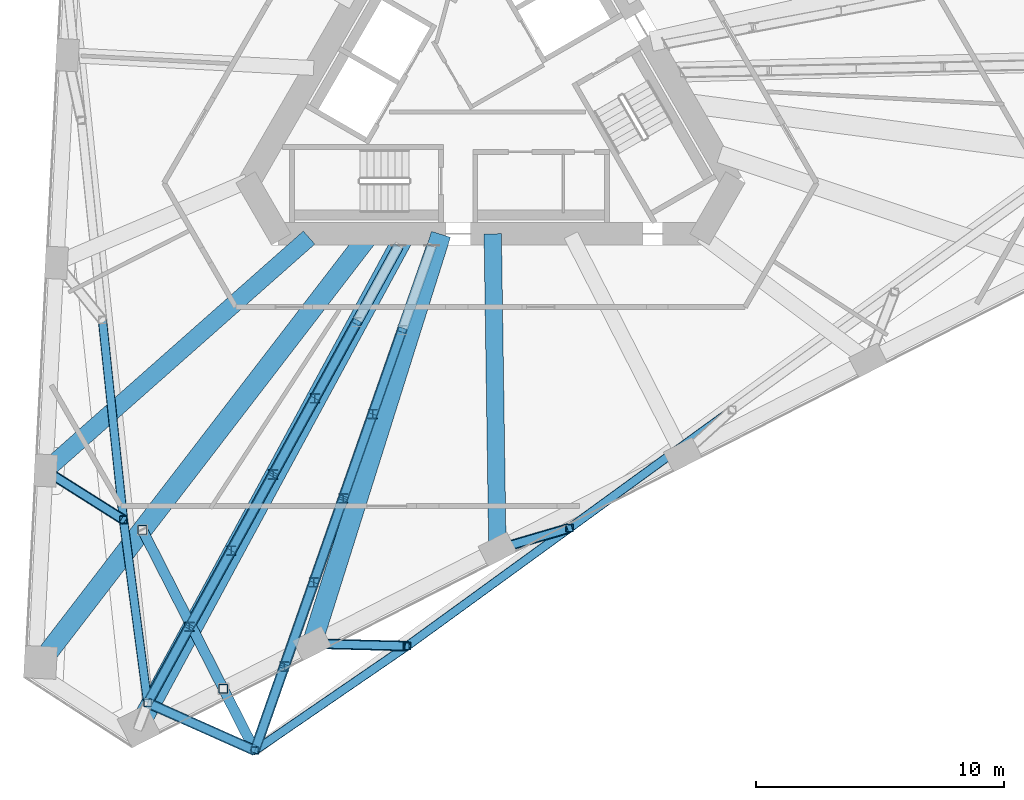
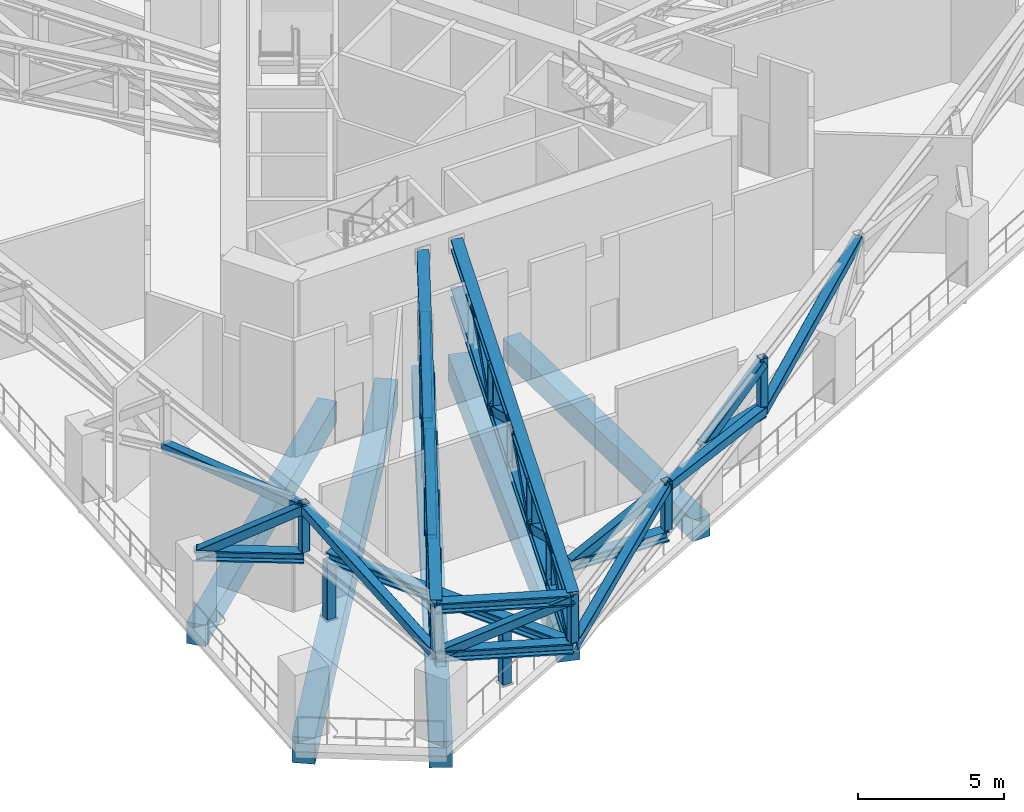
# One storey, part 2 of 26: 44 members, 5 beams.
"""IFC4 building model written with IfcOpenShell, lengths in metres."""

from ifc_helpers import new_model, si_unit, direction, frame, origin, origin_2d, place, context, subcontext, project, spatial, rectangle, hollow_rectangle, i_section, extrude, material, material_profile, profile_set, type_object, element, save


model = new_model("IFC4")

# Units and contexts
model_context = context("Model", 3, precision=1e-05, world=origin(), true_north=direction((0.0, 1.0)))
body_context = subcontext(model_context, "Body", "Model", "MODEL_VIEW")
ifc_project = project(units=[si_unit("LENGTHUNIT", "METRE"), si_unit("AREAUNIT", "SQUARE_METRE"), si_unit("VOLUMEUNIT", "CUBIC_METRE"), si_unit("PLANEANGLEUNIT", "RADIAN"), si_unit("MASSUNIT", "GRAM", prefix="KILO")], contexts=[model_context])

# Site, building, storey
site_placement = place(None, origin())
site = spatial("IfcSite", under=ifc_project, at=site_placement, CompositionType="ELEMENT")
building_placement = place(site_placement, origin())
building = spatial("IfcBuilding", under=site, at=building_placement, Name="Tramontana Tower", CompositionType="ELEMENT")
storey_placement = place(building_placement, frame((0.0, 0.0, 157.60009765625)))
storey = spatial("IfcBuildingStorey", under=building, at=storey_placement, Name="L36", CompositionType="ELEMENT", Elevation=157.60009765625)

# Members
ifc_material_1 = material(Name="Steel ASTM A500 Grade C", Category="steel")
ifc_material_profile_1 = material_profile(ifc_material_1, hollow_rectangle(XDim=0.3046875, YDim=0.3046875, WallThickness=0.01171875, InnerFilletRadius=0.01171875, OuterFilletRadius=0.023681640625, at=origin_2d()), Name="HSS12X12X1/2")
ifc_profile_set_1 = profile_set([ifc_material_profile_1], Name="Steel ASTM A500 Grade C")
member_type_1 = type_object("IfcMemberType", Name="Belt truss HSS12X12X1/2 post", PredefinedType="POST", material=ifc_profile_set_1)
for number, where, z_axis, x_axis, name in (
    (1, (-14.76953125, -17.80712890625, 2.8349609375), (0.0, 0.0, 1.0), (1.0, 0.0, 0.0), "Belt truss post C4F05"),
    (2, (-13.793701171875, -25.178466796875, 2.8349609375), (0.0, 0.0, 1.0), (1.0, 0.0, 0.0), "Belt truss post C4K2"),
    (3, (-9.4814453125, -27.098388671875, 2.8349609375), (0.0, 0.0, 1.0), (1.0, 0.0, 0.0), "Belt truss post C4K3"),
    (4, (-3.3505859375, -22.891357421875, 2.8349609375), (0.0, 0.0, 1.0), (1.0, 0.0, 0.0), "Belt truss post C4F06"),
    (5, (3.188720703125, -18.14013671875, 2.8349609375), (0.0, 0.0, 1.0), (1.0, 0.0, 0.0), "Belt truss post C4F07"),
):
    element("IfcMember", number, at=place(storey_placement, frame(where, z_axis=z_axis, x_axis=x_axis)), inside=storey, type_object=member_type_1, Name=name, PredefinedType="POST", context=body_context, shape_type="SweptSolid", body=[
        extrude(hollow_rectangle(XDim=0.3046875, YDim=0.3046875, WallThickness=0.01171875, InnerFilletRadius=0.01171875, OuterFilletRadius=0.023681640625, at=origin_2d()), origin(), (0.0, 0.0, 1.0), 2.014892578125),
    ])
ifc_material_2 = material(Name="Steel ASTM A500 Grade C", Category="steel")
ifc_material_profile_2 = material_profile(ifc_material_2, hollow_rectangle(XDim=0.355712890625, YDim=0.355712890625, WallThickness=0.01171875, InnerFilletRadius=0.01171875, OuterFilletRadius=0.023681640625, at=origin_2d()), Name="HSS14X14X1/2")
ifc_profile_set_2 = profile_set([ifc_material_profile_2], Name="Steel ASTM A500 Grade C")
member_type_2 = type_object("IfcMemberType", Name="Belt truss HSS14X14X1/2 brace", PredefinedType="BRACE", material=ifc_profile_set_2)
member_1_placement = place(storey_placement, frame((-15.614501953125, -9.7685546875, 2.617431640625), z_axis=(0.101434469563, -0.964990275885, 0.241877687751), x_axis=(0.994520834169, 0.104538559408, 0.0)))
element("IfcMember", 6, at=member_1_placement, inside=storey, type_object=member_type_2, Name="Belt truss diagonal S0.5", PredefinedType="BRACE", context=body_context, shape_type="SweptSolid", body=[
    extrude(hollow_rectangle(XDim=0.355712890625, YDim=0.355712890625, WallThickness=0.01171875, InnerFilletRadius=0.01171875, OuterFilletRadius=0.023681640625, at=origin_2d()), origin(), (0.0, 0.0, 1.0), 8.330322265625),
])
member_2_placement = place(storey_placement, frame((-14.76953125, -17.80712890625, 4.63232421875), z_axis=(0.126668534519, -0.956843398234, -0.261545012606), x_axis=(0.991351060015, 0.131236716685, 0.0)))
element("IfcMember", 7, at=member_2_placement, inside=storey, type_object=member_type_2, Name="Belt truss diagonal S0.6", PredefinedType="BRACE", context=body_context, shape_type="SweptSolid", body=[
    extrude(hollow_rectangle(XDim=0.355712890625, YDim=0.355712890625, WallThickness=0.01171875, InnerFilletRadius=0.01171875, OuterFilletRadius=0.023681640625, at=origin_2d()), origin(), (0.0, 0.0, 1.0), 7.703857421875),
])
member_3_placement = place(storey_placement, frame((-9.4814453125, -27.098388671875, 2.617431640625), z_axis=(0.795837468116, 0.546108284906, 0.261550120435), x_axis=(-0.56580398056, 0.824539784112, 0.0)))
element("IfcMember", 8, at=member_3_placement, inside=storey, type_object=member_type_2, Name="Belt truss diagonal S1.1", PredefinedType="BRACE", context=body_context, shape_type="SweptSolid", body=[
    extrude(hollow_rectangle(XDim=0.355712890625, YDim=0.355712890625, WallThickness=0.01171875, InnerFilletRadius=0.01171875, OuterFilletRadius=0.023681640625, at=origin_2d()), origin(), (0.0, 0.0, 1.0), 7.70361328125),
])
member_4_placement = place(storey_placement, frame((-3.3505859375, -22.891357421875, 4.63232421875), z_axis=(0.78498826481, 0.570343723034, -0.241870754134), x_axis=(-0.587796290801, 0.809008974314, 0.0)))
element("IfcMember", 9, at=member_4_placement, inside=storey, type_object=member_type_2, Name="Belt truss diagonal S1.2", PredefinedType="BRACE", context=body_context, shape_type="SweptSolid", body=[
    extrude(hollow_rectangle(XDim=0.355712890625, YDim=0.355712890625, WallThickness=0.01171875, InnerFilletRadius=0.01171875, OuterFilletRadius=0.023681640625, at=origin_2d()), origin(), (0.0, 0.0, 1.0), 8.33056640625),
])
member_5_placement = place(storey_placement, frame((3.188720703125, -18.14013671875, 2.617431640625), z_axis=(0.784990138125, 0.570337070188, 0.241880361781), x_axis=(-0.587790885195, 0.809012901802, 0.0)))
element("IfcMember", 10, at=member_5_placement, inside=storey, type_object=member_type_2, Name="Belt truss diagonal S1.3", PredefinedType="BRACE", context=body_context, shape_type="SweptSolid", body=[
    extrude(hollow_rectangle(XDim=0.355712890625, YDim=0.355712890625, WallThickness=0.01171875, InnerFilletRadius=0.01171875, OuterFilletRadius=0.023681640625, at=origin_2d()), origin(), (0.0, 0.0, 1.0), 8.330078125),
])
member_6_placement = place(storey_placement, frame((-13.793701171875, -25.178466796875, 2.617431640625), z_axis=(0.840203995237, -0.374079387338, 0.392583568629), x_axis=(0.406733437306, 0.913546884936, 0.0)))
element("IfcMember", 11, at=member_6_placement, inside=storey, type_object=member_type_2, Name="Belt truss diagonal K1.1", PredefinedType="BRACE", context=body_context, shape_type="SweptSolid", body=[
    extrude(hollow_rectangle(XDim=0.355712890625, YDim=0.355712890625, WallThickness=0.01171875, InnerFilletRadius=0.01171875, OuterFilletRadius=0.023681640625, at=origin_2d()), origin(), (0.0, 0.0, 1.0), 5.13232421875),
])
ifc_material_3 = material(Name="Steel ASTM A992 Grade 50", Category="steel")
ifc_material_profile_3 = material_profile(ifc_material_3, i_section(OverallWidth=0.412841796875, OverallDepth=0.43505859375, WebThickness=0.03662109375, FlangeThickness=0.05712890625, FilletRadius=0.01513671875, at=origin_2d()), Name="W14X311")
ifc_profile_set_3 = profile_set([ifc_material_profile_3], Name="Steel ASTM A992 Grade 50")
member_type_3 = type_object("IfcMemberType", Name="Belt truss W14X311 chord", PredefinedType="CHORD", material=ifc_profile_set_3)
for number, where, z_axis, x_axis, name in (
    (12, (-13.793701171875, -25.178466796875, 2.617431640625), (0.913546884936, -0.406733437306, 0.0), (0.406733437306, 0.913546884936, 0.0), "Belt truss bottom chord K1"),
    (13, (-13.793701171875, -25.178466796875, 4.63232421875), (0.913546884936, -0.406733437306, 0.0), (0.406733437306, 0.913546884936, 0.0), "Belt truss top chord K1"),
):
    element("IfcMember", number, at=place(storey_placement, frame(where, z_axis=z_axis, x_axis=x_axis)), inside=storey, type_object=member_type_3, Name=name, PredefinedType="CHORD", context=body_context, shape_type="SweptSolid", body=[
        extrude(i_section(OverallWidth=0.412841796875, OverallDepth=0.43505859375, WebThickness=0.03662109375, FlangeThickness=0.05712890625, FilletRadius=0.01513671875, at=origin_2d()), origin(), (0.0, 0.0, 1.0), 4.720458984375),
    ])

# Beams
ifc_material_4 = material(Name="Concrete 40 MPa", Category="concrete")
ifc_material_profile_4 = material_profile(ifc_material_4, rectangle(XDim=0.699951171875, YDim=0.89990234375, at=origin_2d()), Name="RC GIRDER 700X900 40 MPa")
ifc_profile_set_4 = profile_set([ifc_material_profile_4], Name="Concrete 40 MPa")
beam_type_1 = type_object("IfcBeamType", Name="RC GIRDER 700X900 40 MPa", PredefinedType="BEAM", material=ifc_profile_set_4)
beam_1_placement = place(storey_placement, frame((-17.90283203125, -15.827880859375, -0.800048828125), z_axis=(0.74918417634, 0.662361736456, 0.0), x_axis=(-0.662361736456, 0.74918417634, 0.0)))
element("IfcBeam", 14, at=beam_1_placement, inside=storey, type_object=beam_type_1, Name="Radial girder C3F05 L36", PredefinedType="BEAM", context=body_context, shape_type="SweptSolid", body=[
    extrude(rectangle(XDim=0.699951171875, YDim=0.89990234375, at=origin_2d()), origin(), (0.0, 0.0, 1.0), 14.1552734375),
])
beam_2_placement = place(storey_placement, frame((0.281494140625, -18.9921875, -0.800048828125), z_axis=(-0.014829000023, 0.999890044334, 0.0), x_axis=(-0.999890044334, -0.014829000023, 0.0)))
element("IfcBeam", 15, at=beam_2_placement, inside=storey, type_object=beam_type_1, Name="Radial girder C3F07 L36", PredefinedType="BEAM", context=body_context, shape_type="SweptSolid", body=[
    extrude(rectangle(XDim=0.699951171875, YDim=0.89990234375, at=origin_2d()), origin(), (0.0, 0.0, 1.0), 12.693603515625),
])
ifc_material_5 = material(Name="Concrete 40 MPa", Category="concrete")
ifc_material_profile_5 = material_profile(ifc_material_5, rectangle(XDim=0.800048828125, YDim=1.10009765625, at=origin_2d()), Name="RC GIRDER 800X1100 40 MPa")
ifc_profile_set_5 = profile_set([ifc_material_profile_5], Name="Concrete 40 MPa")
beam_type_2 = type_object("IfcBeamType", Name="RC GIRDER 800X1100 40 MPa", PredefinedType="BEAM", material=ifc_profile_set_5)
beam_3_placement = place(storey_placement, frame((-18.107421875, -23.54931640625, -0.900146484375), z_axis=(0.609557551485, 0.792741818896, 0.0), x_axis=(-0.792741818896, 0.609557551485, 0.0)))
element("IfcBeam", 16, at=beam_3_placement, inside=storey, type_object=beam_type_2, Name="Radial girder C3K2 L36", PredefinedType="BEAM", context=body_context, shape_type="SweptSolid", body=[
    extrude(rectangle(XDim=0.800048828125, YDim=1.10009765625, at=origin_2d()), origin(), (0.0, 0.0, 1.0), 21.641357421875),
])
beam_4_placement = place(storey_placement, frame((-14.1484375, -26.1201171875, -0.900146484375), z_axis=(0.476284198163, 0.879291397991, 0.0), x_axis=(-0.879291397991, 0.476284198163, 0.0)))
element("IfcBeam", 17, at=beam_4_placement, inside=storey, type_object=beam_type_2, Name="Radial girder C3K3 L36", PredefinedType="BEAM", context=body_context, shape_type="SweptSolid", body=[
    extrude(rectangle(XDim=0.800048828125, YDim=1.10009765625, at=origin_2d()), origin(), (0.0, 0.0, 1.0), 22.479248046875),
])
beam_5_placement = place(storey_placement, frame((-7.177734375, -22.79296875, -0.900146484375), z_axis=(0.300368764095, 0.953823152139, 0.0), x_axis=(-0.953823152139, 0.300368764095, 0.0)))
element("IfcBeam", 18, at=beam_5_placement, inside=storey, type_object=beam_type_2, Name="Radial girder C3F06 L36", PredefinedType="BEAM", context=body_context, shape_type="SweptSolid", body=[
    extrude(rectangle(XDim=0.800048828125, YDim=1.10009765625, at=origin_2d()), origin(), (0.0, 0.0, 1.0), 17.26953125),
])

# Members
ifc_material_6 = material(Name="Steel ASTM A500 Grade C", Category="steel")
ifc_material_profile_6 = material_profile(ifc_material_6, hollow_rectangle(XDim=0.355712890625, YDim=0.355712890625, WallThickness=0.01171875, InnerFilletRadius=0.01171875, OuterFilletRadius=0.023681640625, at=origin_2d()), Name="HSS14X14X1/2")
ifc_profile_set_6 = profile_set([ifc_material_profile_6], Name="Steel ASTM A500 Grade C")
member_type_4 = type_object("IfcMemberType", Name="Transfer truss HSS14X14X1/2 brace", PredefinedType="BRACE", material=ifc_profile_set_6)
member_7_placement = place(storey_placement, frame((-17.90283203125, -15.827880859375, 2.617431640625), z_axis=(0.742772248172, -0.469195466412, 0.477645267583), x_axis=(0.534054952322, 0.845449766633, 0.0)))
element("IfcMember", 19, at=member_7_placement, inside=storey, type_object=member_type_4, Name="Transfer truss strut C4F05 diagonal", PredefinedType="BRACE", context=body_context, shape_type="SweptSolid", body=[
    extrude(hollow_rectangle(XDim=0.355712890625, YDim=0.355712890625, WallThickness=0.01171875, InnerFilletRadius=0.01171875, OuterFilletRadius=0.023681640625, at=origin_2d()), origin(), (0.0, 0.0, 1.0), 4.218505859375),
])
member_8_placement = place(storey_placement, frame((-7.177734375, -22.79296875, 2.617431640625), z_axis=(0.884631808973, -0.022742193099, 0.465735284476), x_axis=(0.025699597694, 0.999669710794, 0.0)))
element("IfcMember", 20, at=member_8_placement, inside=storey, type_object=member_type_4, Name="Transfer truss strut C4F06 diagonal", PredefinedType="BRACE", context=body_context, shape_type="SweptSolid", body=[
    extrude(hollow_rectangle(XDim=0.355712890625, YDim=0.355712890625, WallThickness=0.01171875, InnerFilletRadius=0.01171875, OuterFilletRadius=0.023681640625, at=origin_2d()), origin(), (0.0, 0.0, 1.0), 4.326171875),
])
member_9_placement = place(storey_placement, frame((0.281494140625, -18.9921875, 2.617431640625), z_axis=(0.799046048612, 0.234184641389, 0.55378964051), x_axis=(-0.281249962973, 0.959634544151, 0.0)))
element("IfcMember", 21, at=member_9_placement, inside=storey, type_object=member_type_4, Name="Transfer truss strut C4F07 diagonal", PredefinedType="BRACE", context=body_context, shape_type="SweptSolid", body=[
    extrude(hollow_rectangle(XDim=0.355712890625, YDim=0.355712890625, WallThickness=0.01171875, InnerFilletRadius=0.01171875, OuterFilletRadius=0.023681640625, at=origin_2d()), origin(), (0.0, 0.0, 1.0), 3.638427734375),
])
for number, where, z_axis, x_axis, name in (
    (22, (-5.380615234375, -9.854736328125, 4.63232421875), (-0.416978133929, -0.759478600583, -0.499321030081), (0.876573929799, -0.481267228883, 0.0), "Transfer truss diagonal 1.2"),
    (23, (-7.063232421875, -12.91943359375, 2.617431640625), (-0.416978133929, -0.759478600583, 0.499321030081), (0.876573929799, -0.481267228883, 0.0), "Transfer truss diagonal 1.3"),
):
    element("IfcMember", number, at=place(storey_placement, frame(where, z_axis=z_axis, x_axis=x_axis)), inside=storey, type_object=member_type_4, Name=name, PredefinedType="BRACE", context=body_context, shape_type="SweptSolid", body=[
        extrude(hollow_rectangle(XDim=0.355712890625, YDim=0.355712890625, WallThickness=0.01171875, InnerFilletRadius=0.01171875, OuterFilletRadius=0.023681640625, at=origin_2d()), origin(), (0.0, 0.0, 1.0), 4.03515625),
    ])
member_10_placement = place(storey_placement, frame((-8.745849609375, -15.984130859375, 4.63232421875), z_axis=(-0.416958974428, -0.759504202695, -0.499298087051), x_axis=(0.876590102171, -0.48123777156, 0.0)))
element("IfcMember", 24, at=member_10_placement, inside=storey, type_object=member_type_4, Name="Transfer truss diagonal 1.4", PredefinedType="BRACE", context=body_context, shape_type="SweptSolid", body=[
    extrude(hollow_rectangle(XDim=0.355712890625, YDim=0.355712890625, WallThickness=0.01171875, InnerFilletRadius=0.01171875, OuterFilletRadius=0.023681640625, at=origin_2d()), origin(), (0.0, 0.0, 1.0), 4.035400390625),
])
for number, where, z_axis, x_axis, name in (
    (25, (-10.428466796875, -19.049072265625, 2.617431640625), (-0.416978133929, -0.759478600583, 0.499321030081), (0.876573929799, -0.481267228883, 0.0), "Transfer truss diagonal 1.5"),
    (26, (-12.111083984375, -22.11376953125, 4.63232421875), (-0.416978133929, -0.759478600583, -0.499321030081), (0.876573929799, -0.481267228883, 0.0), "Transfer truss diagonal 1.6"),
):
    element("IfcMember", number, at=place(storey_placement, frame(where, z_axis=z_axis, x_axis=x_axis)), inside=storey, type_object=member_type_4, Name=name, PredefinedType="BRACE", context=body_context, shape_type="SweptSolid", body=[
        extrude(hollow_rectangle(XDim=0.355712890625, YDim=0.355712890625, WallThickness=0.01171875, InnerFilletRadius=0.01171875, OuterFilletRadius=0.023681640625, at=origin_2d()), origin(), (0.0, 0.0, 1.0), 4.03515625),
    ])
member_11_placement = place(storey_placement, frame((-3.54833984375, -10.1748046875, 4.63232421875), z_axis=(-0.288471749326, -0.822746828359, -0.489766991809), x_axis=(0.943675690661, -0.330871864707, 0.0)))
element("IfcMember", 27, at=member_11_placement, inside=storey, type_object=member_type_4, Name="Transfer truss diagonal 2.2", PredefinedType="BRACE", context=body_context, shape_type="SweptSolid", body=[
    extrude(hollow_rectangle(XDim=0.355712890625, YDim=0.355712890625, WallThickness=0.01171875, InnerFilletRadius=0.01171875, OuterFilletRadius=0.023681640625, at=origin_2d()), origin(), (0.0, 0.0, 1.0), 4.114013671875),
])
member_12_placement = place(storey_placement, frame((-4.735107421875, -13.5595703125, 2.617431640625), z_axis=(-0.288431425225, -0.822741738249, 0.489799290613), x_axis=(0.943689492195, -0.330832498887, 0.0)))
element("IfcMember", 28, at=member_12_placement, inside=storey, type_object=member_type_4, Name="Transfer truss diagonal 2.3", PredefinedType="BRACE", context=body_context, shape_type="SweptSolid", body=[
    extrude(hollow_rectangle(XDim=0.355712890625, YDim=0.355712890625, WallThickness=0.01171875, InnerFilletRadius=0.01171875, OuterFilletRadius=0.023681640625, at=origin_2d()), origin(), (0.0, 0.0, 1.0), 4.11376953125),
])
for number, where, z_axis, x_axis, name in (
    (29, (-5.921630859375, -16.944091796875, 4.63232421875), (-0.28841734219, -0.822760911958, -0.489775375533), (0.943696942026, -0.33081124771, 0.0), "Transfer truss diagonal 2.4"),
    (30, (-7.108154296875, -20.328857421875, 2.617431640625), (-0.288471749326, -0.822746828359, 0.489766991809), (0.943675690661, -0.330871864707, 0.0), "Transfer truss diagonal 2.5"),
    (31, (-8.294921875, -23.713623046875, 4.63232421875), (-0.28841734219, -0.822760911958, -0.489775375533), (0.943696942026, -0.33081124771, 0.0), "Transfer truss diagonal 2.6"),
):
    element("IfcMember", number, at=place(storey_placement, frame(where, z_axis=z_axis, x_axis=x_axis)), inside=storey, type_object=member_type_4, Name=name, PredefinedType="BRACE", context=body_context, shape_type="SweptSolid", body=[
        extrude(hollow_rectangle(XDim=0.355712890625, YDim=0.355712890625, WallThickness=0.01171875, InnerFilletRadius=0.01171875, OuterFilletRadius=0.023681640625, at=origin_2d()), origin(), (0.0, 0.0, 1.0), 4.114013671875),
    ])
ifc_material_7 = material(Name="Steel ASTM A500 Grade C", Category="steel")
ifc_material_profile_7 = material_profile(ifc_material_7, hollow_rectangle(XDim=0.355712890625, YDim=0.355712890625, WallThickness=0.01171875, InnerFilletRadius=0.01171875, OuterFilletRadius=0.023681640625, at=origin_2d()), Name="HSS14X14X1/2")
ifc_profile_set_7 = profile_set([ifc_material_profile_7], Name="Steel ASTM A500 Grade C")
member_type_5 = type_object("IfcMemberType", Name="Transfer truss HSS14X14X1/2 post", PredefinedType="POST", material=ifc_profile_set_7)
for number, where, z_axis, x_axis, name in (
    (32, (-10.748291015625, -24.6123046875, 0.039794921875), (0.0, 0.0, 1.0), (1.0, 0.0, 0.0), "Transfer truss post C4K3.1"),
    (33, (-14.0068359375, -18.216796875, 0.039794921875), (0.0, 0.0, 1.0), (1.0, 0.0, 0.0), "Transfer truss post C4K3.2"),
):
    element("IfcMember", number, at=place(storey_placement, frame(where, z_axis=z_axis, x_axis=x_axis)), inside=storey, type_object=member_type_5, Name=name, PredefinedType="POST", context=body_context, shape_type="SweptSolid", body=[
        extrude(hollow_rectangle(XDim=0.355712890625, YDim=0.355712890625, WallThickness=0.01171875, InnerFilletRadius=0.01171875, OuterFilletRadius=0.023681640625, at=origin_2d()), origin(), (0.0, 0.0, 1.0), 2.360107421875),
    ])
ifc_material_8 = material(Name="Steel ASTM A992 Grade 50", Category="steel")
ifc_material_profile_8 = material_profile(ifc_material_8, i_section(OverallWidth=0.39697265625, OverallDepth=0.387451171875, WebThickness=0.020751953125, FlangeThickness=0.033447265625, FilletRadius=0.01513671875, at=origin_2d()), Name="W14X176")
ifc_profile_set_8 = profile_set([ifc_material_profile_8], Name="Steel ASTM A992 Grade 50")
member_type_6 = type_object("IfcMemberType", Name="Transfer truss W14X176 post", PredefinedType="POST", material=ifc_profile_set_8)
for number, where, z_axis, x_axis, name in (
    (34, (-7.063232421875, -12.91943359375, 2.617431640625), (0.0, 0.0, 1.0), (1.0, 0.0, 0.0), "Transfer truss post 1.2"),
    (35, (-8.745849609375, -15.984130859375, 2.617431640625), (0.0, 0.0, 1.0), (1.0, 0.0, 0.0), "Transfer truss post 1.3"),
    (36, (-10.428466796875, -19.049072265625, 2.617431640625), (0.0, 0.0, 1.0), (1.0, 0.0, 0.0), "Transfer truss post 1.4"),
    (37, (-12.111083984375, -22.11376953125, 2.617431640625), (0.0, 0.0, 1.0), (1.0, 0.0, 0.0), "Transfer truss post 1.5"),
    (38, (-4.735107421875, -13.5595703125, 2.617431640625), (0.0, 0.0, 1.0), (1.0, 0.0, 0.0), "Transfer truss post 2.2"),
    (39, (-5.921630859375, -16.944091796875, 2.617431640625), (0.0, 0.0, 1.0), (1.0, 0.0, 0.0), "Transfer truss post 2.3"),
    (40, (-7.108154296875, -20.328857421875, 2.617431640625), (0.0, 0.0, 1.0), (1.0, 0.0, 0.0), "Transfer truss post 2.4"),
    (41, (-8.294921875, -23.713623046875, 2.617431640625), (0.0, 0.0, 1.0), (1.0, 0.0, 0.0), "Transfer truss post 2.5"),
):
    element("IfcMember", number, at=place(storey_placement, frame(where, z_axis=z_axis, x_axis=x_axis)), inside=storey, type_object=member_type_6, Name=name, PredefinedType="POST", context=body_context, shape_type="SweptSolid", body=[
        extrude(i_section(OverallWidth=0.39697265625, OverallDepth=0.387451171875, WebThickness=0.020751953125, FlangeThickness=0.033447265625, FilletRadius=0.01513671875, at=origin_2d()), origin(), (0.0, 0.0, 1.0), 2.014892578125),
    ])
ifc_material_9 = material(Name="Steel ASTM A992 Grade 50", Category="steel")
ifc_material_profile_9 = material_profile(ifc_material_9, i_section(OverallWidth=0.412841796875, OverallDepth=0.43505859375, WebThickness=0.03662109375, FlangeThickness=0.05712890625, FilletRadius=0.01513671875, at=origin_2d()), Name="W14X311")
ifc_profile_set_9 = profile_set([ifc_material_profile_9], Name="Steel ASTM A992 Grade 50")
member_type_7 = type_object("IfcMemberType", Name="Transfer truss W14X311 chord", PredefinedType="CHORD", material=ifc_profile_set_9)
member_13_placement = place(storey_placement, frame((-9.4814453125, -27.098388671875, 2.617431640625), z_axis=(-0.453989987827, 0.891006785021, 0.0), x_axis=(-0.891006785021, -0.453989987827, 0.0)))
element("IfcMember", 42, at=member_13_placement, inside=storey, type_object=member_type_7, Name="Transfer truss girder C4K3", PredefinedType="CHORD", context=body_context, shape_type="SweptSolid", body=[
    extrude(i_section(OverallWidth=0.412841796875, OverallDepth=0.43505859375, WebThickness=0.03662109375, FlangeThickness=0.05712890625, FilletRadius=0.01513671875, at=origin_2d()), origin(), (0.0, 0.0, 1.0), 9.968017578125),
])
ifc_material_10 = material(Name="Steel ASTM A992 Grade 50", Category="steel")
ifc_material_profile_10 = material_profile(ifc_material_10, i_section(OverallWidth=0.412841796875, OverallDepth=0.43505859375, WebThickness=0.03662109375, FlangeThickness=0.05712890625, FilletRadius=0.01513671875, at=origin_2d()), Name="W14X311")
ifc_profile_set_10 = profile_set([ifc_material_profile_10], Name="Steel ASTM A992 Grade 50")
member_type_8 = type_object("IfcMemberType", Name="Transfer truss W14X311 strut", PredefinedType="STRUT", material=ifc_profile_set_10)
member_14_placement = place(storey_placement, frame((-17.90283203125, -15.827880859375, 2.617431640625), z_axis=(0.845449766633, -0.534054952322, 0.0), x_axis=(0.534054952322, 0.845449766633, 0.0)))
element("IfcMember", 43, at=member_14_placement, inside=storey, type_object=member_type_8, Name="Transfer truss strut C4F05 bottom", PredefinedType="STRUT", context=body_context, shape_type="SweptSolid", body=[
    extrude(i_section(OverallWidth=0.412841796875, OverallDepth=0.43505859375, WebThickness=0.03662109375, FlangeThickness=0.05712890625, FilletRadius=0.01513671875, at=origin_2d()), origin(), (0.0, 0.0, 1.0), 3.7060546875),
])
member_15_placement = place(storey_placement, frame((-7.177734375, -22.79296875, 2.617431640625), z_axis=(0.999669710794, -0.025699597694, 0.0), x_axis=(0.025699597694, 0.999669710794, 0.0)))
element("IfcMember", 44, at=member_15_placement, inside=storey, type_object=member_type_8, Name="Transfer truss strut C4F06 bottom", PredefinedType="STRUT", context=body_context, shape_type="SweptSolid", body=[
    extrude(i_section(OverallWidth=0.412841796875, OverallDepth=0.43505859375, WebThickness=0.03662109375, FlangeThickness=0.05712890625, FilletRadius=0.01513671875, at=origin_2d()), origin(), (0.0, 0.0, 1.0), 3.828369140625),
])
member_16_placement = place(storey_placement, frame((0.281494140625, -18.9921875, 2.617431640625), z_axis=(0.959634544151, 0.281249962973, 0.0), x_axis=(-0.281249962973, 0.959634544151, 0.0)))
element("IfcMember", 45, at=member_16_placement, inside=storey, type_object=member_type_8, Name="Transfer truss strut C4F07 bottom", PredefinedType="STRUT", context=body_context, shape_type="SweptSolid", body=[
    extrude(i_section(OverallWidth=0.412841796875, OverallDepth=0.43505859375, WebThickness=0.03662109375, FlangeThickness=0.05712890625, FilletRadius=0.01513671875, at=origin_2d()), origin(), (0.0, 0.0, 1.0), 3.029541015625),
])
ifc_material_11 = material(Name="Steel ASTM A992 Grade 50", Category="steel")
ifc_material_profile_11 = material_profile(ifc_material_11, i_section(OverallWidth=0.42236328125, OverallDepth=0.463623046875, WebThickness=0.04443359375, FlangeThickness=0.072998046875, FilletRadius=0.014892578125, at=origin_2d()), Name="W14X398")
ifc_profile_set_11 = profile_set([ifc_material_profile_11], Name="Steel ASTM A992 Grade 50")
member_type_9 = type_object("IfcMemberType", Name="Transfer truss W14X398 chord", PredefinedType="CHORD", material=ifc_profile_set_11)
for number, where, z_axis, x_axis, name in (
    (46, (-3.697998046875, -6.7900390625, 2.617431640625), (-0.481262319117, -0.8765766254, 0.0), (0.8765766254, -0.481262319117, 0.0), "Transfer truss bottom chord 1"),
    (47, (-3.697998046875, -6.7900390625, 4.63232421875), (-0.481262319117, -0.8765766254, 0.0), (0.8765766254, -0.481262319117, 0.0), "Transfer truss top chord 1"),
):
    element("IfcMember", number, at=place(storey_placement, frame(where, z_axis=z_axis, x_axis=x_axis)), inside=storey, type_object=member_type_9, Name=name, PredefinedType="CHORD", context=body_context, shape_type="SweptSolid", body=[
        extrude(i_section(OverallWidth=0.42236328125, OverallDepth=0.463623046875, WebThickness=0.04443359375, FlangeThickness=0.072998046875, FilletRadius=0.014892578125, at=origin_2d()), origin(), (0.0, 0.0, 1.0), 20.9775390625),
    ])
for number, where, z_axis, x_axis, name in (
    (48, (-2.36181640625, -6.7900390625, 2.617431640625), (-0.330834995679, -0.943688616883, 0.0), (0.943688616883, -0.330834995679, 0.0), "Transfer truss bottom chord 2"),
    (49, (-2.36181640625, -6.7900390625, 4.63232421875), (-0.330834995679, -0.943688616883, 0.0), (0.943688616883, -0.330834995679, 0.0), "Transfer truss top chord 2"),
):
    element("IfcMember", number, at=place(storey_placement, frame(where, z_axis=z_axis, x_axis=x_axis)), inside=storey, type_object=member_type_9, Name=name, PredefinedType="CHORD", context=body_context, shape_type="SweptSolid", body=[
        extrude(i_section(OverallWidth=0.42236328125, OverallDepth=0.463623046875, WebThickness=0.04443359375, FlangeThickness=0.072998046875, FilletRadius=0.014892578125, at=origin_2d()), origin(), (0.0, 0.0, 1.0), 21.520263671875),
    ])

save(model, "model.ifc")
